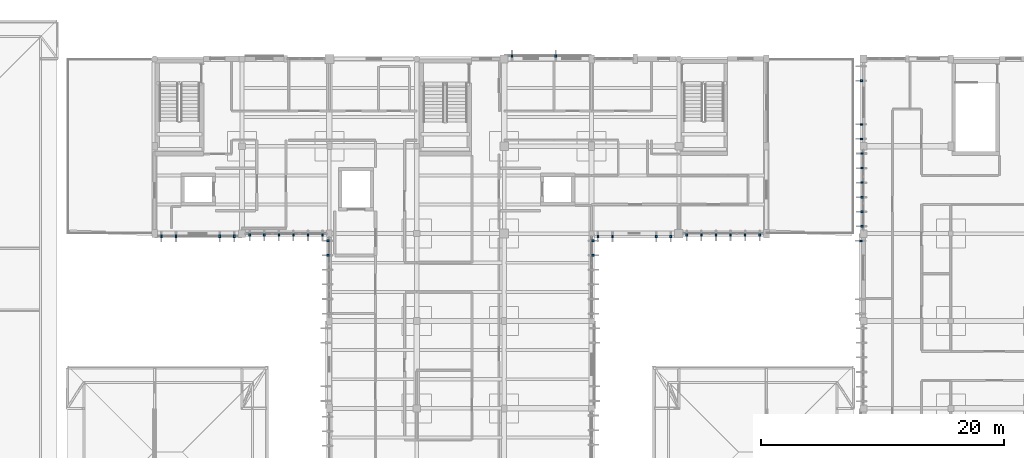
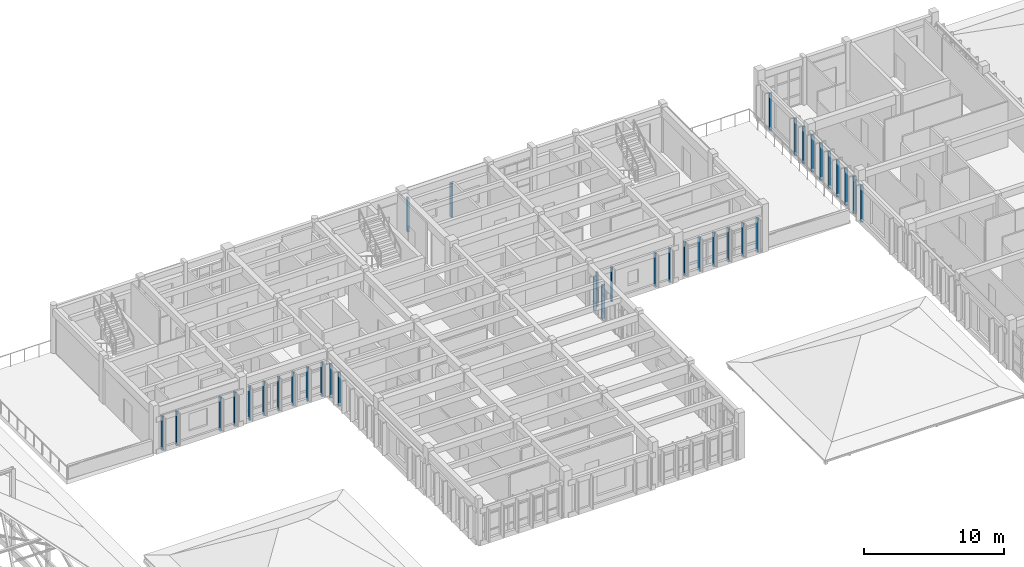
# One storey, part 42 of 51: 36 discrete accessories.
"""IFC4 building model written with IfcOpenShell, lengths in metres."""

import ifcopenshell
import ifcopenshell.guid

model = None  # the IFC model being written
_history = None  # IfcOwnerHistory: only IFC2X3 demands one
_inside = {}  # id of a spatial element -> (the spatial element, [elements in it])
_under = {}  # id of a project, library or spatial element -> (it, [spatial elements below it])
_declared = {}  # id of a project -> (the project, [libraries it declares])
_typed = {}  # id of a type object -> (the type object, [elements of that type])
_made_of = {}  # id of a material, layer set ... -> (it, [elements and type objects made of it])


def new_model(schema):
    """Start an empty IFC model of exactly this schema.

    Asked for "IFC4X3", IfcOpenShell would pick the latest addendum, in which some entities
    have other attributes; the version numbers below select the first issue.
    IFC2X3 requires an IfcOwnerHistory on every rooted entity: one is made here for all.
    """
    global model, _history
    if schema == "IFC4X3":
        model = ifcopenshell.file(schema_version=(4, 3, 0, 0))
    else:
        model = ifcopenshell.file(schema=schema)
    _inside.clear()
    _under.clear()
    _declared.clear()
    _typed.clear()
    _made_of.clear()
    _history = None
    if model.schema == "IFC2X3":
        org = make("IfcOrganization", Name="unknown")
        user = make(
            "IfcPersonAndOrganization",
            ThePerson=make("IfcPerson", FamilyName="unknown"),
            TheOrganization=org,
        )
        app = make(
            "IfcApplication",
            ApplicationDeveloper=org,
            Version="unknown",
            ApplicationFullName="unknown",
            ApplicationIdentifier="unknown",
        )
        _history = make(
            "IfcOwnerHistory",
            OwningUser=user,
            OwningApplication=app,
            ChangeAction="ADDED",
            CreationDate=0,
        )
    return model


def make(cls, **values):
    """One entity of the class cls with the attributes given. An attribute that is None is left unset."""
    return model.create_entity(
        cls, **{name: value for name, value in values.items() if value is not None}
    )


def rooted(cls, **values):
    """An entity with a GlobalId (a new one), such as an element, a storey or a relation."""
    return make(cls, GlobalId=ifcopenshell.guid.new(), OwnerHistory=_history, **values)


def si_unit(unit_type, name, prefix=None):
    """IfcSIUnit, for example si_unit("LENGTHUNIT", "METRE", prefix="MILLI")."""
    return make("IfcSIUnit", UnitType=unit_type, Prefix=prefix, Name=name)


def assignment(units):
    """IfcUnitAssignment: the units of a project."""
    return None if units is None else make("IfcUnitAssignment", Units=units)


def point(xyz):
    """IfcCartesianPoint."""
    return None if xyz is None else make("IfcCartesianPoint", Coordinates=xyz)


def direction(xyz):
    """IfcDirection."""
    return None if xyz is None else make("IfcDirection", DirectionRatios=xyz)


def frame(location, z_axis=None, x_axis=None):
    """IfcAxis2Placement3D, a coordinate frame: its origin and axes. An axis left out is left unset."""
    return make(
        "IfcAxis2Placement3D",
        Location=point(location),
        Axis=direction(z_axis),
        RefDirection=direction(x_axis),
    )


def frame_2d(location, x_axis=None):
    """IfcAxis2Placement2D, a coordinate frame in the plane: its origin and x axis."""
    return make(
        "IfcAxis2Placement2D", Location=point(location), RefDirection=direction(x_axis)
    )


def origin():
    """The frame at (0, 0, 0) with its axes left unset."""
    return frame((0.0, 0.0, 0.0))


def origin_2d():
    """The frame at (0, 0) in the plane with its x axis left unset."""
    return frame_2d((0.0, 0.0))


def place(relative_to, where):
    """IfcLocalPlacement: puts the frame where relative to a parent placement (None: the world)."""
    return make(
        "IfcLocalPlacement", PlacementRelTo=relative_to, RelativePlacement=where
    )


def context(
    kind, dimensions, precision=None, world=None, true_north=None, identifier=None
):
    """IfcGeometricRepresentationContext, for example the 3D "Model" context."""
    return make(
        "IfcGeometricRepresentationContext",
        ContextIdentifier=identifier,
        ContextType=kind,
        CoordinateSpaceDimension=dimensions,
        Precision=precision,
        WorldCoordinateSystem=world,
        TrueNorth=true_north,
    )


def subcontext(parent, identifier, kind, view, scale=None):
    """IfcGeometricRepresentationSubContext, for example "Body" below "Model"."""
    return make(
        "IfcGeometricRepresentationSubContext",
        ContextIdentifier=identifier,
        ContextType=kind,
        ParentContext=parent,
        TargetScale=scale,
        TargetView=view,
    )


def project(units=None, contexts=None):
    """IfcProject with its units and contexts."""
    return rooted(
        "IfcProject",
        Name="project",
        RepresentationContexts=contexts,
        UnitsInContext=assignment(units),
    )


def spatial(cls, under=None, at=None, **own):
    """A site, building, storey or space (cls), placed at a placement, below another one or the project."""
    s = rooted(cls, ObjectPlacement=at, **own)
    if under is not None:
        _under.setdefault(under.id(), (under, []))[1].append(s)
    return s


def profile(cls, at=None, kind="AREA", **sizes):
    """A parametric profile (cls). Its sizes go by their IFC names, for example OverallWidth=200.0."""
    return make(cls, ProfileType=kind, Position=at, **sizes)


def rectangle(**sizes):
    """IfcRectangleProfileDef."""
    return profile("IfcRectangleProfileDef", **sizes)


def extrude(swept, where, along, depth):
    """IfcExtrudedAreaSolid: the profile swept, set in the frame where, extruded along a direction by depth."""
    return make(
        "IfcExtrudedAreaSolid",
        SweptArea=swept,
        Position=where,
        ExtrudedDirection=direction(along),
        Depth=depth,
    )


def shape(context_of_items, identifier, shape_type, items):
    """IfcShapeRepresentation: the items that make up one representation, for example the "Body"."""
    return make(
        "IfcShapeRepresentation",
        ContextOfItems=context_of_items,
        RepresentationIdentifier=identifier,
        RepresentationType=shape_type,
        Items=items,
    )


def material(Name=None, Category=None):
    """IfcMaterial."""
    return make("IfcMaterial", Name=Name, Category=Category)


def made_of(thing, what):
    """Note that an element or type object is made of a material, layer set ...; save() writes the relation."""
    if what is not None:
        _made_of.setdefault(what.id(), (what, []))[1].append(thing)
    return thing


def type_object(cls, material=None, **own):
    """A type object (cls), such as IfcWallType, which elements share."""
    return made_of(rooted(cls, **own), material)


def element(
    cls,
    number,
    at=None,
    inside=None,
    cuts=None,
    type_object=None,
    material=None,
    context=None,
    identifier="Body",
    shape_type=None,
    held_by="IfcProductDefinitionShape",
    body=None,
    shapes=None,
    **own,
):
    """One element of the class cls, such as IfcWall. Its Tag is "e" and its number.

    at: its placement. inside: the storey or other place that contains it. cuts: it is an
    opening in that element (IfcRelVoidsElement). A single representation is given by context,
    identifier, shape_type and body (its items); several are given by shapes. held_by: the class
    of the entity that holds the representations. save() writes the other relations.
    """
    e = rooted(cls, Tag="e%d" % number, ObjectPlacement=at, **own)
    if body is not None:
        shapes = [shape(context, identifier, shape_type, body)]
    if shapes is not None:
        e.Representation = make(held_by, Representations=shapes)
    if inside is not None:
        _inside.setdefault(inside.id(), (inside, []))[1].append(e)
    if cuts is not None:
        rooted(
            "IfcRelVoidsElement", RelatingBuildingElement=cuts, RelatedOpeningElement=e
        )
    if type_object is not None:
        _typed.setdefault(type_object.id(), (type_object, []))[1].append(e)
    return made_of(e, material)


def aggregate(whole, parts):
    """IfcRelAggregates: a whole, such as a stair, and the parts it consists of."""
    return rooted("IfcRelAggregates", RelatingObject=whole, RelatedObjects=parts)


def save(model, path):
    """Write the relations noted so far, then the file.

    IfcRelAggregates (storeys below a building ...), IfcRelContainedInSpatialStructure (elements
    in a storey), IfcRelDefinesByType, IfcRelAssociatesMaterial and IfcRelDeclares: one each for
    every whole, place, type object, material and project.
    """
    for whole, parts in _under.values():
        aggregate(whole, parts)
    for where, things in _inside.values():
        rooted(
            "IfcRelContainedInSpatialStructure",
            RelatedElements=things,
            RelatingStructure=where,
        )
    for kind, things in _typed.values():
        rooted("IfcRelDefinesByType", RelatedObjects=things, RelatingType=kind)
    for what, things in _made_of.values():
        rooted("IfcRelAssociatesMaterial", RelatedObjects=things, RelatingMaterial=what)
    for by, libraries in _declared.values():
        rooted("IfcRelDeclares", RelatingContext=by, RelatedDefinitions=libraries)
    model.write(path)


model = new_model("IFC4")

# Units and contexts
model_context = context("Model", 3, precision=1e-05, world=origin(), true_north=direction((0.0, 1.0)))
body_context = subcontext(model_context, "Body", "Model", "MODEL_VIEW")
ifc_project = project(units=[si_unit("LENGTHUNIT", "METRE"), si_unit("AREAUNIT", "SQUARE_METRE"), si_unit("VOLUMEUNIT", "CUBIC_METRE"), si_unit("PLANEANGLEUNIT", "RADIAN"), si_unit("MASSUNIT", "GRAM", prefix="KILO")], contexts=[model_context])

# Site, building, storey
site_placement = place(None, origin())
site = spatial("IfcSite", under=ifc_project, at=site_placement, CompositionType="ELEMENT")
building_placement = place(site_placement, origin())
building = spatial("IfcBuilding", under=site, at=building_placement, Name="Steenspoor Specialist Clinic", CompositionType="ELEMENT")
storey_placement = place(building_placement, frame((0.0, 0.0, 17.39990234375)))
storey = spatial("IfcBuildingStorey", under=building, at=storey_placement, Name="L04", CompositionType="ELEMENT", Elevation=17.39990234375)

# Discrete accessories
ifc_material = material(Name="Galvanised steel mounting bracket", Category="steel")
discrete_accessory_type = type_object("IfcDiscreteAccessoryType", Name="ACC-BRACKET-FIN", PredefinedType="BRACKET", material=ifc_material)
for number, where, z_axis, x_axis, name in (
    (1, (73.889892578125, 92.16259765625, 0.05029296875), (0.0, 0.0, 1.0), (-1.0, 0.0, 0.0), "Timber Screen Bracket 43"),
    (2, (73.889892578125, 93.362548828125, 0.05029296875), (0.0, 0.0, 1.0), (-1.0, 0.0, 0.0), "Timber Screen Bracket 44"),
    (3, (73.4375, 93.840087890625, 0.05029296875), (0.0, 0.0, 1.0), (0.0, -1.0, 0.0), "Timber Screen Bracket 47"),
    (4, (72.237548828125, 93.840087890625, 0.05029296875), (0.0, 0.0, 1.0), (0.0, -1.0, 0.0), "Timber Screen Bracket 48"),
    (5, (71.03759765625, 93.840087890625, 0.05029296875), (0.0, 0.0, 1.0), (0.0, -1.0, 0.0), "Timber Screen Bracket 49"),
    (6, (69.83740234375, 93.840087890625, 0.05029296875), (0.0, 0.0, 1.0), (0.0, -1.0, 0.0), "Timber Screen Bracket 50"),
    (7, (68.637451171875, 93.840087890625, 0.05029296875), (0.0, 0.0, 1.0), (0.0, -1.0, 0.0), "Timber Screen Bracket 51"),
    (8, (67.4375, 93.840087890625, 0.05029296875), (0.0, 0.0, 1.0), (0.0, -1.0, 0.0), "Timber Screen Bracket 52"),
    (9, (66.16259765625, 93.739990234375, 0.05029296875), (0.0, 0.0, 1.0), (0.0, -1.0, 0.0), "Timber Screen Bracket 55"),
    (10, (64.96240234375, 93.739990234375, 0.05029296875), (0.0, 0.0, 1.0), (0.0, -1.0, 0.0), "Timber Screen Bracket 56"),
    (11, (61.362548828125, 93.739990234375, 0.05029296875), (0.0, 0.0, 1.0), (0.0, -1.0, 0.0), "Timber Screen Bracket 57"),
    (12, (60.16259765625, 93.739990234375, 0.05029296875), (0.0, 0.0, 1.0), (0.0, -1.0, 0.0), "Timber Screen Bracket 58"),
    (13, (89.050048828125, 108.590087890625, 0.05029296875), (0.0, 0.0, 1.0), (0.0, 1.0, 0.0), "Timber Screen Bracket 61"),
    (14, (92.64990234375, 108.590087890625, 0.05029296875), (0.0, 0.0, 1.0), (0.0, 1.0, 0.0), "Timber Screen Bracket 62"),
    (15, (109.449951171875, 93.840087890625, 0.05029296875), (0.0, 0.0, 1.0), (0.0, -1.0, 0.0), "Timber Screen Bracket 65"),
    (16, (108.25, 93.840087890625, 0.05029296875), (0.0, 0.0, 1.0), (0.0, -1.0, 0.0), "Timber Screen Bracket 66"),
    (17, (107.050048828125, 93.840087890625, 0.05029296875), (0.0, 0.0, 1.0), (0.0, -1.0, 0.0), "Timber Screen Bracket 67"),
    (18, (105.85009765625, 93.840087890625, 0.05029296875), (0.0, 0.0, 1.0), (0.0, -1.0, 0.0), "Timber Screen Bracket 68"),
    (19, (104.64990234375, 93.840087890625, 0.05029296875), (0.0, 0.0, 1.0), (0.0, -1.0, 0.0), "Timber Screen Bracket 69"),
    (20, (103.449951171875, 93.840087890625, 0.05029296875), (0.0, 0.0, 1.0), (0.0, -1.0, 0.0), "Timber Screen Bracket 70"),
    (21, (102.125, 93.72509765625, 0.05029296875), (0.0, 0.0, 1.0), (0.0, -1.0, 0.0), "Timber Screen Bracket 73"),
    (22, (100.925048828125, 93.72509765625, 0.05029296875), (0.0, 0.0, 1.0), (0.0, -1.0, 0.0), "Timber Screen Bracket 74"),
    (23, (97.324951171875, 93.72509765625, 0.05029296875), (0.0, 0.0, 1.0), (0.0, -1.0, 0.0), "Timber Screen Bracket 75"),
    (24, (96.125, 93.72509765625, 0.05029296875), (0.0, 0.0, 1.0), (0.0, -1.0, 0.0), "Timber Screen Bracket 76"),
    (25, (95.7099609375, 93.362548828125, 0.05029296875), (0.0, 0.0, 1.0), (1.0, 0.0, 0.0), "Timber Screen Bracket 79"),
    (26, (95.7099609375, 92.16259765625, 0.05029296875), (0.0, 0.0, 1.0), (1.0, 0.0, 0.0), "Timber Screen Bracket 80"),
):
    element("IfcDiscreteAccessory", number, at=place(storey_placement, frame(where, z_axis=z_axis, x_axis=x_axis)), inside=storey, type_object=discrete_accessory_type, Name=name, PredefinedType="BRACKET", context=body_context, shape_type="SweptSolid", body=[
        extrude(rectangle(XDim=0.219970703125, YDim=0.139892578125, at=origin_2d()), origin(), (0.0, 0.0, 1.0), 2.989990234375),
    ])
for number, where, z_axis, x_axis, name in (
    (27, (117.7900390625, 93.35009765625, 0.050048828125), (0.0, 0.0, 1.0), (-1.0, 0.0, 0.0), "Timber Screen Bracket 267"),
    (28, (117.889892578125, 94.550048828125, 0.050048828125), (0.0, 0.0, 1.0), (-1.0, 0.0, 0.0), "Timber Screen Bracket 270"),
    (29, (117.889892578125, 95.75, 0.050048828125), (0.0, 0.0, 1.0), (-1.0, 0.0, 0.0), "Timber Screen Bracket 271"),
    (30, (117.889892578125, 96.949951171875, 0.050048828125), (0.0, 0.0, 1.0), (-1.0, 0.0, 0.0), "Timber Screen Bracket 272"),
    (31, (117.889892578125, 98.14990234375, 0.050048828125), (0.0, 0.0, 1.0), (-1.0, 0.0, 0.0), "Timber Screen Bracket 273"),
    (32, (117.889892578125, 99.35009765625, 0.050048828125), (0.0, 0.0, 1.0), (-1.0, 0.0, 0.0), "Timber Screen Bracket 274"),
    (33, (117.889892578125, 100.550048828125, 0.050048828125), (0.0, 0.0, 1.0), (-1.0, 0.0, 0.0), "Timber Screen Bracket 275"),
    (34, (117.85009765625, 101.75, 0.050048828125), (0.0, 0.0, 1.0), (-1.0, 0.0, 0.0), "Timber Screen Bracket 278"),
    (35, (117.85009765625, 102.949951171875, 0.050048828125), (0.0, 0.0, 1.0), (-1.0, 0.0, 0.0), "Timber Screen Bracket 279"),
    (36, (117.85009765625, 106.550048828125, 0.050048828125), (0.0, 0.0, 1.0), (-1.0, 0.0, 0.0), "Timber Screen Bracket 280"),
):
    element("IfcDiscreteAccessory", number, at=place(storey_placement, frame(where, z_axis=z_axis, x_axis=x_axis)), inside=storey, type_object=discrete_accessory_type, Name=name, PredefinedType="BRACKET", context=body_context, shape_type="SweptSolid", body=[
        extrude(rectangle(XDim=0.219970703125, YDim=0.139892578125, at=origin_2d()), origin(), (0.0, 0.0, 1.0), 3.27001953125),
    ])

save(model, "model.ifc")
